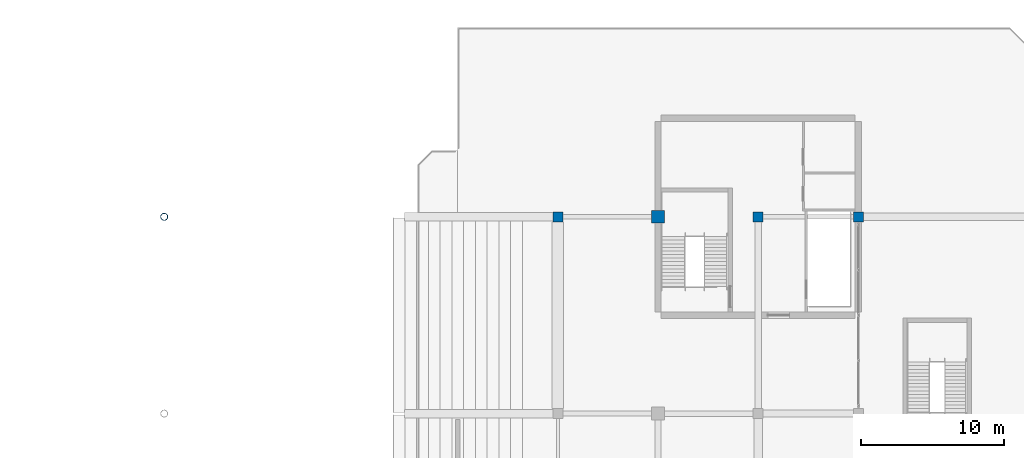
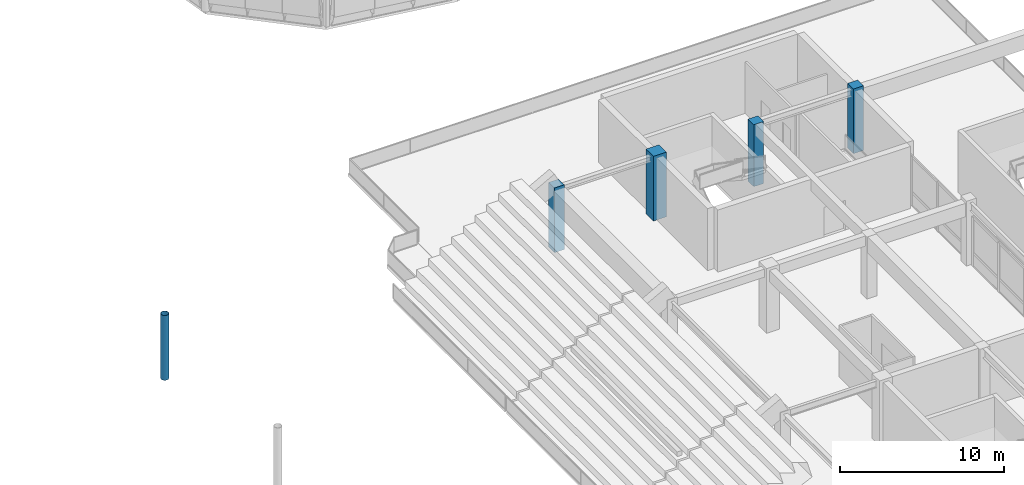
# One storey, part 13 of 94: 5 columns.
"""IFC4 building model written with IfcOpenShell, lengths in metres."""

from ifc_helpers import new_model, si_unit, direction, frame, origin, origin_2d, place, context, subcontext, project, spatial, rectangle, hollow_circle, extrude, material, material_profile, profile_set, type_object, element, save


model = new_model("IFC4")

# Units and contexts
model_context = context("Model", 3, precision=1e-05, world=origin(), true_north=direction((0.0, 1.0)))
body_context = subcontext(model_context, "Body", "Model", "MODEL_VIEW")
ifc_project = project(units=[si_unit("LENGTHUNIT", "METRE"), si_unit("AREAUNIT", "SQUARE_METRE"), si_unit("VOLUMEUNIT", "CUBIC_METRE"), si_unit("PLANEANGLEUNIT", "RADIAN"), si_unit("MASSUNIT", "GRAM", prefix="KILO")], contexts=[model_context])

# Site, building, storey
site_placement = place(None, origin())
site = spatial("IfcSite", under=ifc_project, at=site_placement, CompositionType="ELEMENT")
building_placement = place(site_placement, origin())
building = spatial("IfcBuilding", under=site, at=building_placement, Name="Linyun Crest Stadium", CompositionType="ELEMENT")
storey_placement = place(building_placement, frame((0.0, 0.0, 16.199951171875)))
storey = spatial("IfcBuildingStorey", under=building, at=storey_placement, Name="L04", CompositionType="ELEMENT", Elevation=16.199951171875)

# Columns
ifc_material_1 = material(Name="Concrete C50", Category="concrete")
ifc_material_profile_1 = material_profile(ifc_material_1, rectangle(XDim=0.699951171875, YDim=0.699951171875, at=origin_2d()), Name="RC 700x700")
ifc_profile_set_1 = profile_set([ifc_material_profile_1], Name="Concrete C50")
column_type_1 = type_object("IfcColumnType", Name="C02", PredefinedType="COLUMN", material=ifc_profile_set_1)
column_1_placement = place(storey_placement, frame((63.0, 43.375, 0.0), z_axis=(0.0, 0.0, 1.0), x_axis=(1.0, 0.0, 0.0)))
element("IfcColumn", 1, at=column_1_placement, inside=storey, type_object=column_type_1, Name="Column C02 L04 392", PredefinedType="COLUMN", context=body_context, shape_type="SweptSolid", body=[
    extrude(rectangle(XDim=0.699951171875, YDim=0.699951171875, at=origin_2d()), origin(), (0.0, 0.0, 1.0), 4.800048828125),
])
column_2_placement = place(storey_placement, frame((77.0, 43.375, 0.0), z_axis=(0.0, 0.0, 1.0), x_axis=(1.0, 0.0, 0.0)))
element("IfcColumn", 2, at=column_2_placement, inside=storey, type_object=column_type_1, Name="Column C02 L04 480", PredefinedType="COLUMN", context=body_context, shape_type="SweptSolid", body=[
    extrude(rectangle(XDim=0.699951171875, YDim=0.699951171875, at=origin_2d()), origin(), (0.0, 0.0, 1.0), 4.60009765625),
])
column_3_placement = place(storey_placement, frame((84.0, 43.375, 0.0), z_axis=(0.0, 0.0, 1.0), x_axis=(1.0, 0.0, 0.0)))
element("IfcColumn", 3, at=column_3_placement, inside=storey, type_object=column_type_1, Name="Column C02 L04 527", PredefinedType="COLUMN", context=body_context, shape_type="SweptSolid", body=[
    extrude(rectangle(XDim=0.699951171875, YDim=0.699951171875, at=origin_2d()), origin(), (0.0, 0.0, 1.0), 4.798095703125),
])
ifc_material_2 = material(Name="Concrete C50", Category="concrete")
ifc_material_profile_2 = material_profile(ifc_material_2, rectangle(XDim=0.89990234375, YDim=0.89990234375, at=origin_2d()), Name="RC 900x900")
ifc_profile_set_2 = profile_set([ifc_material_profile_2], Name="Concrete C50")
column_type_2 = type_object("IfcColumnType", Name="C04", PredefinedType="COLUMN", material=ifc_profile_set_2)
column_4_placement = place(storey_placement, frame((70.0, 43.375, 0.0), z_axis=(0.0, 0.0, 1.0), x_axis=(1.0, 0.0, 0.0)))
element("IfcColumn", 4, at=column_4_placement, inside=storey, type_object=column_type_2, Name="Column C04 L04 439", PredefinedType="COLUMN", context=body_context, shape_type="SweptSolid", body=[
    extrude(rectangle(XDim=0.89990234375, YDim=0.89990234375, at=origin_2d()), origin(), (0.0, 0.0, 1.0), 4.798095703125),
])
ifc_material_3 = material(Name="Steel Q355C", Category="steel")
ifc_material_profile_3 = material_profile(ifc_material_3, hollow_circle(Radius=0.25390625, WallThickness=0.02490234375, at=origin_2d()), Name="CHS 508x25")
ifc_profile_set_3 = profile_set([ifc_material_profile_3], Name="Steel Q355C")
column_type_3 = type_object("IfcColumnType", Name="SC05", PredefinedType="COLUMN", material=ifc_profile_set_3)
column_5_placement = place(storey_placement, frame((35.5, 43.375, 0.0), z_axis=(0.0, 0.0, 1.0), x_axis=(1.0, 0.0, 0.0)))
element("IfcColumn", 5, at=column_5_placement, inside=storey, type_object=column_type_3, Name="Arch colonnade column SC05 L04 32", PredefinedType="COLUMN", context=body_context, shape_type="SweptSolid", body=[
    extrude(hollow_circle(Radius=0.25390625, WallThickness=0.02490234375, at=origin_2d()), origin(), (0.0, 0.0, 1.0), 4.800048828125),
])

save(model, "model.ifc")
